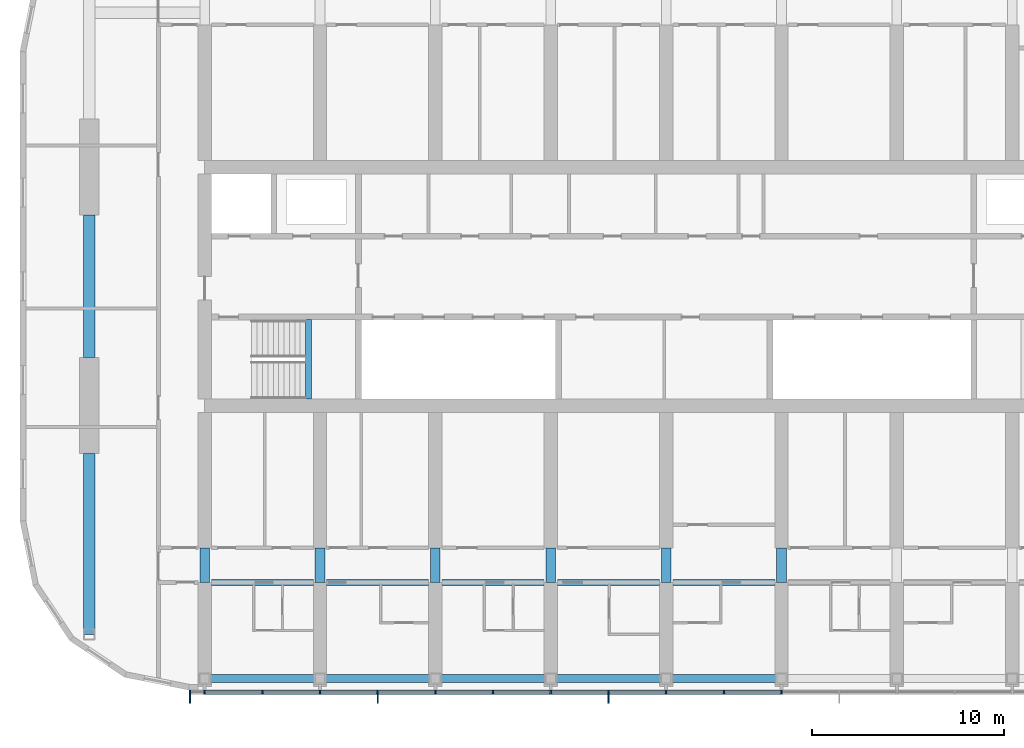
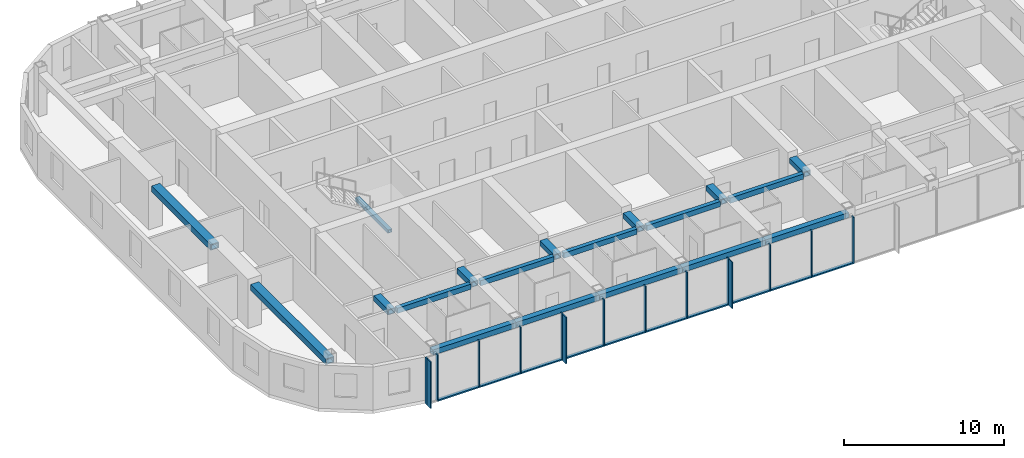
# One storey, part 2 of 23: 25 members, 19 beams, 1 element without a shape of its own.
"""IFC4 building model written with IfcOpenShell, lengths in metres."""

from ifc_helpers import new_model, si_unit, direction, frame, origin, origin_2d, place, context, subcontext, project, spatial, rectangle, hollow_rectangle, extrude, material, material_profile, profile_set, type_object, element, aggregate, save


model = new_model("IFC4")

# Units and contexts
model_context = context("Model", 3, precision=1e-05, world=origin(), true_north=direction((0.0, 1.0)))
body_context = subcontext(model_context, "Body", "Model", "MODEL_VIEW")
ifc_project = project(units=[si_unit("LENGTHUNIT", "METRE"), si_unit("AREAUNIT", "SQUARE_METRE"), si_unit("VOLUMEUNIT", "CUBIC_METRE"), si_unit("PLANEANGLEUNIT", "RADIAN"), si_unit("MASSUNIT", "GRAM", prefix="KILO")], contexts=[model_context])

# Site, building, storey
site_placement = place(None, origin())
site = spatial("IfcSite", under=ifc_project, at=site_placement, CompositionType="ELEMENT")
building_placement = place(site_placement, origin())
building = spatial("IfcBuilding", under=site, at=building_placement, Name="Orbita Commons", CompositionType="ELEMENT")
storey_placement = place(building_placement, frame((0.0, 0.0, 227.800048828125)))
storey = spatial("IfcBuildingStorey", under=building, at=storey_placement, Name="L56", CompositionType="ELEMENT", Elevation=227.800048828125)

# Curtain wall, members
ifc_material_1 = material(Name="Anodised aluminium frame, pale silver", Category="aluminium")
curtain_wall_type = type_object("IfcCurtainWallType", Name="Unitised curtain wall CW-U, full-height vision", PredefinedType="NOTDEFINED", material=ifc_material_1)
curtain_wall_placement = place(storey_placement, origin())
curtain_wall = element("IfcCurtainWall", 1, at=curtain_wall_placement, inside=storey, type_object=curtain_wall_type, Name="Curtain wall south L56", PredefinedType="NOTDEFINED")
ifc_material_2 = material(Name="Anodised aluminium, pale silver", Category="aluminium")
ifc_material_profile_1 = material_profile(ifc_material_2, rectangle(XDim=0.080078125, YDim=0.219970703125, at=origin_2d()), Name="AL 80x220")
ifc_profile_set_1 = profile_set([ifc_material_profile_1], Name="Anodised aluminium, pale silver")
member_type_1 = type_object("IfcMemberType", Name="Curtain wall mullion 80x220", PredefinedType="MULLION", material=ifc_profile_set_1)
member_1_placement = place(storey_placement, frame((17.239990234375, 10.889892578125, -0.25), z_axis=(0.0, 0.0, 1.0), x_axis=(1.0, 0.0, 0.0)))
member_1 = element("IfcMember", 2, at=member_1_placement, type_object=member_type_1, Name="Mullion 1 CW-L56-S", PredefinedType="MULLION", context=body_context, shape_type="SweptSolid", body=[
    extrude(rectangle(XDim=0.080078125, YDim=0.219970703125, at=origin_2d()), origin(), (0.0, 0.0, 1.0), 3.550048828125),
])
member_2_placement = place(storey_placement, frame((18.0, 10.889892578125, -0.25), z_axis=(0.0, 0.0, 1.0), x_axis=(1.0, 0.0, 0.0)))
member_2 = element("IfcMember", 3, at=member_2_placement, type_object=member_type_1, Name="Mullion 2 CW-L56-S", PredefinedType="MULLION", context=body_context, shape_type="SweptSolid", body=[
    extrude(rectangle(XDim=0.080078125, YDim=0.219970703125, at=origin_2d()), origin(), (0.0, 0.0, 1.0), 3.550048828125),
])
member_3_placement = place(storey_placement, frame((21.0, 10.889892578125, -0.25), z_axis=(0.0, 0.0, 1.0), x_axis=(1.0, 0.0, 0.0)))
member_3 = element("IfcMember", 4, at=member_3_placement, type_object=member_type_1, Name="Mullion 3 CW-L56-S", PredefinedType="MULLION", context=body_context, shape_type="SweptSolid", body=[
    extrude(rectangle(XDim=0.080078125, YDim=0.219970703125, at=origin_2d()), origin(), (0.0, 0.0, 1.0), 3.550048828125),
])
member_4_placement = place(storey_placement, frame((24.0, 10.889892578125, -0.25), z_axis=(0.0, 0.0, 1.0), x_axis=(1.0, 0.0, 0.0)))
member_4 = element("IfcMember", 5, at=member_4_placement, type_object=member_type_1, Name="Mullion 4 CW-L56-S", PredefinedType="MULLION", context=body_context, shape_type="SweptSolid", body=[
    extrude(rectangle(XDim=0.080078125, YDim=0.219970703125, at=origin_2d()), origin(), (0.0, 0.0, 1.0), 3.550048828125),
])
member_5_placement = place(storey_placement, frame((27.0, 10.889892578125, -0.25), z_axis=(0.0, 0.0, 1.0), x_axis=(1.0, 0.0, 0.0)))
member_5 = element("IfcMember", 6, at=member_5_placement, type_object=member_type_1, Name="Mullion 5 CW-L56-S", PredefinedType="MULLION", context=body_context, shape_type="SweptSolid", body=[
    extrude(rectangle(XDim=0.080078125, YDim=0.219970703125, at=origin_2d()), origin(), (0.0, 0.0, 1.0), 3.550048828125),
])
member_6_placement = place(storey_placement, frame((30.0, 10.889892578125, -0.25), z_axis=(0.0, 0.0, 1.0), x_axis=(1.0, 0.0, 0.0)))
member_6 = element("IfcMember", 7, at=member_6_placement, type_object=member_type_1, Name="Mullion 6 CW-L56-S", PredefinedType="MULLION", context=body_context, shape_type="SweptSolid", body=[
    extrude(rectangle(XDim=0.080078125, YDim=0.219970703125, at=origin_2d()), origin(), (0.0, 0.0, 1.0), 3.550048828125),
])
member_7_placement = place(storey_placement, frame((33.0, 10.889892578125, -0.25), z_axis=(0.0, 0.0, 1.0), x_axis=(1.0, 0.0, 0.0)))
member_7 = element("IfcMember", 8, at=member_7_placement, type_object=member_type_1, Name="Mullion 7 CW-L56-S", PredefinedType="MULLION", context=body_context, shape_type="SweptSolid", body=[
    extrude(rectangle(XDim=0.080078125, YDim=0.219970703125, at=origin_2d()), origin(), (0.0, 0.0, 1.0), 3.550048828125),
])
member_8_placement = place(storey_placement, frame((36.0, 10.889892578125, -0.25), z_axis=(0.0, 0.0, 1.0), x_axis=(1.0, 0.0, 0.0)))
member_8 = element("IfcMember", 9, at=member_8_placement, type_object=member_type_1, Name="Mullion 8 CW-L56-S", PredefinedType="MULLION", context=body_context, shape_type="SweptSolid", body=[
    extrude(rectangle(XDim=0.080078125, YDim=0.219970703125, at=origin_2d()), origin(), (0.0, 0.0, 1.0), 3.550048828125),
])
member_9_placement = place(storey_placement, frame((39.0, 10.889892578125, -0.25), z_axis=(0.0, 0.0, 1.0), x_axis=(1.0, 0.0, 0.0)))
member_9 = element("IfcMember", 10, at=member_9_placement, type_object=member_type_1, Name="Mullion 9 CW-L56-S", PredefinedType="MULLION", context=body_context, shape_type="SweptSolid", body=[
    extrude(rectangle(XDim=0.080078125, YDim=0.219970703125, at=origin_2d()), origin(), (0.0, 0.0, 1.0), 3.550048828125),
])
member_10_placement = place(storey_placement, frame((42.0, 10.889892578125, -0.25), z_axis=(0.0, 0.0, 1.0), x_axis=(1.0, 0.0, 0.0)))
member_10 = element("IfcMember", 11, at=member_10_placement, type_object=member_type_1, Name="Mullion 10 CW-L56-S", PredefinedType="MULLION", context=body_context, shape_type="SweptSolid", body=[
    extrude(rectangle(XDim=0.080078125, YDim=0.219970703125, at=origin_2d()), origin(), (0.0, 0.0, 1.0), 3.550048828125),
])
member_11_placement = place(storey_placement, frame((45.0, 10.889892578125, -0.25), z_axis=(0.0, 0.0, 1.0), x_axis=(1.0, 0.0, 0.0)))
member_11 = element("IfcMember", 12, at=member_11_placement, type_object=member_type_1, Name="Mullion 11 CW-L56-S", PredefinedType="MULLION", context=body_context, shape_type="SweptSolid", body=[
    extrude(rectangle(XDim=0.080078125, YDim=0.219970703125, at=origin_2d()), origin(), (0.0, 0.0, 1.0), 3.550048828125),
])
member_12_placement = place(storey_placement, frame((48.0, 10.889892578125, -0.25), z_axis=(0.0, 0.0, 1.0), x_axis=(1.0, 0.0, 0.0)))
member_12 = element("IfcMember", 13, at=member_12_placement, type_object=member_type_1, Name="Mullion 12 CW-L56-S", PredefinedType="MULLION", context=body_context, shape_type="SweptSolid", body=[
    extrude(rectangle(XDim=0.080078125, YDim=0.219970703125, at=origin_2d()), origin(), (0.0, 0.0, 1.0), 3.550048828125),
])
ifc_material_3 = material(Name="Anodised aluminium, pale silver", Category="aluminium")
ifc_material_profile_2 = material_profile(ifc_material_3, rectangle(XDim=0.219970703125, YDim=0.10009765625, at=origin_2d()), Name="AL 220x100")
ifc_profile_set_2 = profile_set([ifc_material_profile_2], Name="Anodised aluminium, pale silver")
member_type_2 = type_object("IfcMemberType", Name="Curtain wall stack transom 220x100", PredefinedType="USERDEFINED", material=ifc_profile_set_2)
member_13_placement = place(storey_placement, frame((18.0400390625, 10.889892578125, -0.199951171875), z_axis=(1.0, 0.0, 0.0), x_axis=(0.0, 1.0, 0.0)))
member_13 = element("IfcMember", 14, at=member_13_placement, type_object=member_type_2, Name="Transom 2.1 CW-L56-S", ObjectType="TRANSOM", PredefinedType="USERDEFINED", context=body_context, shape_type="SweptSolid", body=[
    extrude(rectangle(XDim=0.219970703125, YDim=0.10009765625, at=origin_2d()), origin(), (0.0, 0.0, 1.0), 2.919921875),
])
member_14_placement = place(storey_placement, frame((21.0400390625, 10.889892578125, -0.199951171875), z_axis=(1.0, 0.0, 0.0), x_axis=(0.0, 1.0, 0.0)))
member_14 = element("IfcMember", 15, at=member_14_placement, type_object=member_type_2, Name="Transom 3.1 CW-L56-S", ObjectType="TRANSOM", PredefinedType="USERDEFINED", context=body_context, shape_type="SweptSolid", body=[
    extrude(rectangle(XDim=0.219970703125, YDim=0.10009765625, at=origin_2d()), origin(), (0.0, 0.0, 1.0), 2.919921875),
])
member_15_placement = place(storey_placement, frame((24.0400390625, 10.889892578125, -0.199951171875), z_axis=(1.0, 0.0, 0.0), x_axis=(0.0, 1.0, 0.0)))
member_15 = element("IfcMember", 16, at=member_15_placement, type_object=member_type_2, Name="Transom 4.1 CW-L56-S", ObjectType="TRANSOM", PredefinedType="USERDEFINED", context=body_context, shape_type="SweptSolid", body=[
    extrude(rectangle(XDim=0.219970703125, YDim=0.10009765625, at=origin_2d()), origin(), (0.0, 0.0, 1.0), 2.919921875),
])
member_16_placement = place(storey_placement, frame((27.0400390625, 10.889892578125, -0.199951171875), z_axis=(1.0, 0.0, 0.0), x_axis=(0.0, 1.0, 0.0)))
member_16 = element("IfcMember", 17, at=member_16_placement, type_object=member_type_2, Name="Transom 5.1 CW-L56-S", ObjectType="TRANSOM", PredefinedType="USERDEFINED", context=body_context, shape_type="SweptSolid", body=[
    extrude(rectangle(XDim=0.219970703125, YDim=0.10009765625, at=origin_2d()), origin(), (0.0, 0.0, 1.0), 2.919921875),
])
member_17_placement = place(storey_placement, frame((30.0400390625, 10.889892578125, -0.199951171875), z_axis=(1.0, 0.0, 0.0), x_axis=(0.0, 1.0, 0.0)))
member_17 = element("IfcMember", 18, at=member_17_placement, type_object=member_type_2, Name="Transom 6.1 CW-L56-S", ObjectType="TRANSOM", PredefinedType="USERDEFINED", context=body_context, shape_type="SweptSolid", body=[
    extrude(rectangle(XDim=0.219970703125, YDim=0.10009765625, at=origin_2d()), origin(), (0.0, 0.0, 1.0), 2.919921875),
])
member_18_placement = place(storey_placement, frame((33.0400390625, 10.889892578125, -0.199951171875), z_axis=(1.0, 0.0, 0.0), x_axis=(0.0, 1.0, 0.0)))
member_18 = element("IfcMember", 19, at=member_18_placement, type_object=member_type_2, Name="Transom 7.1 CW-L56-S", ObjectType="TRANSOM", PredefinedType="USERDEFINED", context=body_context, shape_type="SweptSolid", body=[
    extrude(rectangle(XDim=0.219970703125, YDim=0.10009765625, at=origin_2d()), origin(), (0.0, 0.0, 1.0), 2.919921875),
])
member_19_placement = place(storey_placement, frame((36.0400390625, 10.889892578125, -0.199951171875), z_axis=(1.0, 0.0, 0.0), x_axis=(0.0, 1.0, 0.0)))
member_19 = element("IfcMember", 20, at=member_19_placement, type_object=member_type_2, Name="Transom 8.1 CW-L56-S", ObjectType="TRANSOM", PredefinedType="USERDEFINED", context=body_context, shape_type="SweptSolid", body=[
    extrude(rectangle(XDim=0.219970703125, YDim=0.10009765625, at=origin_2d()), origin(), (0.0, 0.0, 1.0), 2.919921875),
])
member_20_placement = place(storey_placement, frame((39.0400390625, 10.889892578125, -0.199951171875), z_axis=(1.0, 0.0, 0.0), x_axis=(0.0, 1.0, 0.0)))
member_20 = element("IfcMember", 21, at=member_20_placement, type_object=member_type_2, Name="Transom 9.1 CW-L56-S", ObjectType="TRANSOM", PredefinedType="USERDEFINED", context=body_context, shape_type="SweptSolid", body=[
    extrude(rectangle(XDim=0.219970703125, YDim=0.10009765625, at=origin_2d()), origin(), (0.0, 0.0, 1.0), 2.919921875),
])
member_21_placement = place(storey_placement, frame((42.0400390625, 10.889892578125, -0.199951171875), z_axis=(1.0, 0.0, 0.0), x_axis=(0.0, 1.0, 0.0)))
member_21 = element("IfcMember", 22, at=member_21_placement, type_object=member_type_2, Name="Transom 10.1 CW-L56-S", ObjectType="TRANSOM", PredefinedType="USERDEFINED", context=body_context, shape_type="SweptSolid", body=[
    extrude(rectangle(XDim=0.219970703125, YDim=0.10009765625, at=origin_2d()), origin(), (0.0, 0.0, 1.0), 2.919921875),
])
member_22_placement = place(storey_placement, frame((45.0400390625, 10.889892578125, -0.199951171875), z_axis=(1.0, 0.0, 0.0), x_axis=(0.0, 1.0, 0.0)))
member_22 = element("IfcMember", 23, at=member_22_placement, type_object=member_type_2, Name="Transom 11.1 CW-L56-S", ObjectType="TRANSOM", PredefinedType="USERDEFINED", context=body_context, shape_type="SweptSolid", body=[
    extrude(rectangle(XDim=0.219970703125, YDim=0.10009765625, at=origin_2d()), origin(), (0.0, 0.0, 1.0), 2.919921875),
])

# Beams
ifc_material_4 = material(Name="Steel ASTM A572 Gr 50 welded plate", Category="steel")
ifc_material_profile_3 = material_profile(ifc_material_4, hollow_rectangle(XDim=0.300048828125, YDim=0.25, WallThickness=0.02490234375, at=origin_2d()), Name="BOX 250x300x25")
ifc_profile_set_3 = profile_set([ifc_material_profile_3], Name="Steel ASTM A572 Gr 50 welded plate")
beam_type_1 = type_object("IfcBeamType", Name="Stair landing beam steel BOX 250x300x25", PredefinedType="BEAM", material=ifc_profile_set_3)
beam_1_placement = place(storey_placement, frame((23.39990234375, 26.135009765625, 1.550048828125), z_axis=(0.0, 1.0, 0.0), x_axis=(-1.0, 0.0, 0.0)))
element("IfcBeam", 24, at=beam_1_placement, inside=storey, type_object=beam_type_1, Name="Stair S1 landing beam L56 1", PredefinedType="BEAM", context=body_context, shape_type="SweptSolid", body=[
    extrude(hollow_rectangle(XDim=0.300048828125, YDim=0.25, WallThickness=0.02490234375, at=origin_2d()), origin(), (0.0, 0.0, 1.0), 4.1298828125),
])
ifc_material_5 = material(Name="Steel ASTM A572 Gr 50 welded plate", Category="steel")
ifc_material_profile_4 = material_profile(ifc_material_5, hollow_rectangle(XDim=0.300048828125, YDim=0.39990234375, WallThickness=0.0400390625, at=origin_2d()), Name="BOX 400x300x40")
ifc_profile_set_4 = profile_set([ifc_material_profile_4], Name="Steel ASTM A572 Gr 50 welded plate")
beam_type_2 = type_object("IfcBeamType", Name="Steel corridor link BOX 400x300x40", PredefinedType="BEAM", material=ifc_profile_set_4)
for number, where, z_axis, x_axis, name in (
    (25, (18.35009765625, 16.60009765625, 3.099853515625), (1.0, 0.0, 0.0), (0.0, 1.0, 0.0), "Corridor beam SA 4-5 L56"),
    (26, (24.35009765625, 16.60009765625, 3.099853515625), (1.0, 0.0, 0.0), (0.0, 1.0, 0.0), "Corridor beam SA 5-6 L56"),
    (27, (30.35009765625, 16.60009765625, 3.099853515625), (1.0, 0.0, 0.0), (0.0, 1.0, 0.0), "Corridor beam SA 6-7 L56"),
    (28, (36.35009765625, 16.60009765625, 3.099853515625), (1.0, 0.0, 0.0), (0.0, 1.0, 0.0), "Corridor beam SA 7-8 L56"),
    (29, (42.35009765625, 16.60009765625, 3.099853515625), (1.0, 0.0, 0.0), (0.0, 1.0, 0.0), "Corridor beam SA 8-9 L56"),
):
    element("IfcBeam", number, at=place(storey_placement, frame(where, z_axis=z_axis, x_axis=x_axis)), inside=storey, type_object=beam_type_2, Name=name, PredefinedType="BEAM", context=body_context, shape_type="SweptSolid", body=[
        extrude(hollow_rectangle(XDim=0.300048828125, YDim=0.39990234375, WallThickness=0.0400390625, at=origin_2d()), origin(), (0.0, 0.0, 1.0), 5.2998046875),
    ])
ifc_material_6 = material(Name="Steel ASTM A572 Gr 50 welded plate", Category="steel")
ifc_material_profile_5 = material_profile(ifc_material_6, hollow_rectangle(XDim=0.5, YDim=0.39990234375, WallThickness=0.050048828125, at=origin_2d()), Name="BOX 400x500x50")
ifc_profile_set_5 = profile_set([ifc_material_profile_5], Name="Steel ASTM A572 Gr 50 welded plate")
beam_type_3 = type_object("IfcBeamType", Name="Steel coupling link BOX 400x500x50", PredefinedType="LINTEL", material=ifc_profile_set_5)
for number, where, z_axis, x_axis, name in (
    (30, (18.0, 16.60009765625, 3.099853515625), (0.0, 1.0, 0.0), (-1.0, 0.0, 0.0), "Coupling beam 4 south L56"),
    (31, (24.0, 16.60009765625, 3.099853515625), (0.0, 1.0, 0.0), (-1.0, 0.0, 0.0), "Coupling beam 5 south L56"),
    (32, (30.0, 16.60009765625, 3.099853515625), (0.0, 1.0, 0.0), (-1.0, 0.0, 0.0), "Coupling beam 6 south L56"),
    (33, (36.0, 16.60009765625, 3.099853515625), (0.0, 1.0, 0.0), (-1.0, 0.0, 0.0), "Coupling beam 7 south L56"),
    (34, (42.0, 16.60009765625, 3.099853515625), (0.0, 1.0, 0.0), (-1.0, 0.0, 0.0), "Coupling beam 8 south L56"),
    (35, (48.0, 16.60009765625, 3.099853515625), (0.0, 1.0, 0.0), (-1.0, 0.0, 0.0), "Coupling beam 9 south L56"),
):
    element("IfcBeam", number, at=place(storey_placement, frame(where, z_axis=z_axis, x_axis=x_axis)), inside=storey, type_object=beam_type_3, Name=name, PredefinedType="LINTEL", context=body_context, shape_type="SweptSolid", body=[
        extrude(hollow_rectangle(XDim=0.5, YDim=0.39990234375, WallThickness=0.050048828125, at=origin_2d()), origin(), (0.0, 0.0, 1.0), 1.7998046875),
    ])
ifc_material_7 = material(Name="Steel ASTM A572 Gr 50 welded plate", Category="steel")
ifc_material_profile_6 = material_profile(ifc_material_7, hollow_rectangle(XDim=0.60009765625, YDim=0.449951171875, WallThickness=0.06005859375, at=origin_2d()), Name="BOX 450x600x60")
ifc_profile_set_6 = profile_set([ifc_material_profile_6], Name="Steel ASTM A572 Gr 50 welded plate")
beam_type_4 = type_object("IfcBeamType", Name="Steel end frame link BOX 450x600x60", PredefinedType="BEAM", material=ifc_profile_set_6)
beam_2_placement = place(storey_placement, frame((12.0, 13.89990234375, 3.074951171875), z_axis=(0.0, 1.0, 0.0), x_axis=(-1.0, 0.0, 0.0)))
element("IfcBeam", 36, at=beam_2_placement, inside=storey, type_object=beam_type_4, Name="End frame beam 3 B-C L56", PredefinedType="BEAM", context=body_context, shape_type="SweptSolid", body=[
    extrude(hollow_rectangle(XDim=0.60009765625, YDim=0.449951171875, WallThickness=0.06005859375, at=origin_2d()), origin(), (0.0, 0.0, 1.0), 9.400146484375),
])
beam_3_placement = place(storey_placement, frame((12.0, 28.300048828125, 3.074951171875), z_axis=(0.0, 1.0, 0.0), x_axis=(-1.0, 0.0, 0.0)))
element("IfcBeam", 37, at=beam_3_placement, inside=storey, type_object=beam_type_4, Name="End frame beam 3 C-D L56", PredefinedType="BEAM", context=body_context, shape_type="SweptSolid", body=[
    extrude(hollow_rectangle(XDim=0.60009765625, YDim=0.449951171875, WallThickness=0.06005859375, at=origin_2d()), origin(), (0.0, 0.0, 1.0), 7.39990234375),
])
ifc_material_8 = material(Name="Steel ASTM A572 Gr 50 welded plate", Category="steel")
ifc_material_profile_7 = material_profile(ifc_material_8, hollow_rectangle(XDim=0.39990234375, YDim=0.39990234375, WallThickness=0.0400390625, at=origin_2d()), Name="BOX 400x400x40")
ifc_profile_set_7 = profile_set([ifc_material_profile_7], Name="Steel ASTM A572 Gr 50 welded plate")
beam_type_5 = type_object("IfcBeamType", Name="Steel spandrel BOX 400x400x40", PredefinedType="SPANDREL", material=ifc_profile_set_7)
for number, where, z_axis, x_axis, name in (
    (38, (18.0, 11.60009765625, 3.099853515625), (1.0, 0.0, 0.0), (0.0, 1.0, 0.0), "Spandrel beam B 4-5 L56"),
    (39, (24.0, 11.60009765625, 3.099853515625), (1.0, 0.0, 0.0), (0.0, 1.0, 0.0), "Spandrel beam B 5-6 L56"),
    (40, (30.0, 11.60009765625, 3.099853515625), (1.0, 0.0, 0.0), (0.0, 1.0, 0.0), "Spandrel beam B 6-7 L56"),
    (41, (36.0, 11.60009765625, 3.099853515625), (1.0, 0.0, 0.0), (0.0, 1.0, 0.0), "Spandrel beam B 7-8 L56"),
    (42, (42.0, 11.60009765625, 3.099853515625), (1.0, 0.0, 0.0), (0.0, 1.0, 0.0), "Spandrel beam B 8-9 L56"),
):
    element("IfcBeam", number, at=place(storey_placement, frame(where, z_axis=z_axis, x_axis=x_axis)), inside=storey, type_object=beam_type_5, Name=name, PredefinedType="SPANDREL", context=body_context, shape_type="SweptSolid", body=[
        extrude(hollow_rectangle(XDim=0.39990234375, YDim=0.39990234375, WallThickness=0.0400390625, at=origin_2d()), origin(), (0.0, 0.0, 1.0), 6.0),
    ])

# Member
ifc_material_9 = material(Name="Anodised aluminium, pale silver", Category="aluminium")
ifc_material_profile_8 = material_profile(ifc_material_9, rectangle(XDim=0.06005859375, YDim=0.449951171875, at=origin_2d()), Name="FIN 60x450")
ifc_profile_set_8 = profile_set([ifc_material_profile_8], Name="Anodised aluminium, pale silver")
member_type_3 = type_object("IfcMemberType", Name="Vertical fin 60x450 pale aluminium", PredefinedType="USERDEFINED", material=ifc_profile_set_8)
member_23_placement = place(storey_placement, frame((17.239990234375, 10.554931640625, -0.25), z_axis=(0.0, 0.0, 1.0), x_axis=(1.0, 0.0, 0.0)))
member_23 = element("IfcMember", 43, at=member_23_placement, type_object=member_type_3, Name="Fin 1 CW-L56-S", ObjectType="FIN", PredefinedType="USERDEFINED", context=body_context, shape_type="SweptSolid", body=[
    extrude(rectangle(XDim=0.06005859375, YDim=0.449951171875, at=origin_2d()), origin(), (0.0, 0.0, 1.0), 3.550048828125),
])

member_24_placement = place(storey_placement, frame((27.0, 10.554931640625, -0.25), z_axis=(0.0, 0.0, 1.0), x_axis=(1.0, 0.0, 0.0)))
member_24 = element("IfcMember", 44, at=member_24_placement, type_object=member_type_3, Name="Fin 5 CW-L56-S", ObjectType="FIN", PredefinedType="USERDEFINED", context=body_context, shape_type="SweptSolid", body=[
    extrude(rectangle(XDim=0.06005859375, YDim=0.449951171875, at=origin_2d()), origin(), (0.0, 0.0, 1.0), 3.550048828125),
])

member_25_placement = place(storey_placement, frame((39.0, 10.554931640625, -0.25), z_axis=(0.0, 0.0, 1.0), x_axis=(1.0, 0.0, 0.0)))
member_25 = element("IfcMember", 45, at=member_25_placement, type_object=member_type_3, Name="Fin 9 CW-L56-S", ObjectType="FIN", PredefinedType="USERDEFINED", context=body_context, shape_type="SweptSolid", body=[
    extrude(rectangle(XDim=0.06005859375, YDim=0.449951171875, at=origin_2d()), origin(), (0.0, 0.0, 1.0), 3.550048828125),
])

aggregate(curtain_wall, [member_1, member_23, member_2, member_3, member_4, member_5, member_24, member_6, member_7, member_8, member_9, member_25, member_10, member_11, member_12, member_13, member_14, member_15, member_16, member_17, member_18, member_19, member_20, member_21, member_22])

save(model, "model.ifc")
